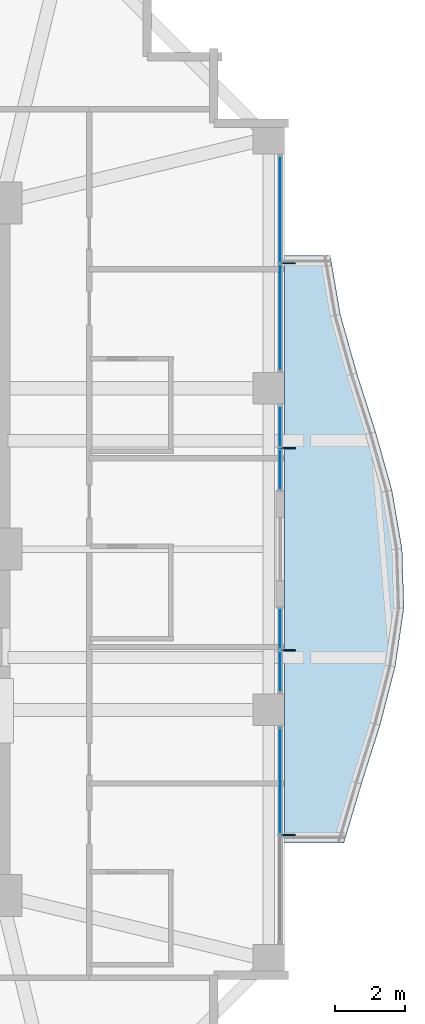
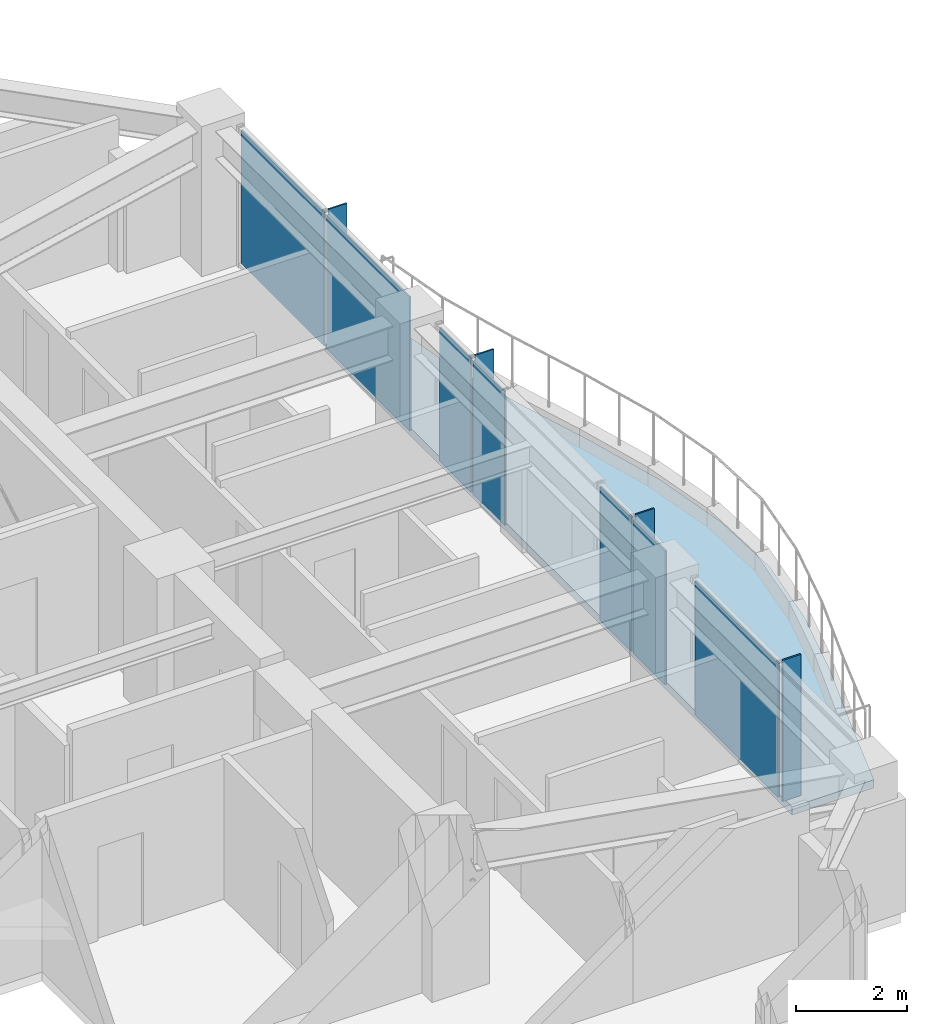
# One storey, part 26 of 33: 11 plates, 1 slab, 4 elements without a shape of their own.
"""IFC4 building model written with IfcOpenShell, lengths in metres."""

from ifc_helpers import new_model, si_unit, direction, frame, origin, origin_2d, place, context, subcontext, project, spatial, polyline, rectangle, outline, extrude, material, layer, layer_set, type_object, element, aggregate, save


model = new_model("IFC4")

# Units and contexts
model_context = context("Model", 3, precision=1e-05, world=origin(), true_north=direction((0.0, 1.0)))
body_context = subcontext(model_context, "Body", "Model", "MODEL_VIEW")
ifc_project = project(units=[si_unit("LENGTHUNIT", "METRE"), si_unit("AREAUNIT", "SQUARE_METRE"), si_unit("VOLUMEUNIT", "CUBIC_METRE"), si_unit("PLANEANGLEUNIT", "RADIAN"), si_unit("MASSUNIT", "GRAM", prefix="KILO")], contexts=[model_context])

# Site, building, storey
site_placement = place(None, origin())
site = spatial("IfcSite", under=ifc_project, at=site_placement, CompositionType="ELEMENT")
building_placement = place(site_placement, origin())
building = spatial("IfcBuilding", under=site, at=building_placement, Name="Kolvaren Belvedere", CompositionType="ELEMENT")
storey_placement = place(building_placement, frame((0.0, 0.0, 128.300048828125)))
storey = spatial("IfcBuildingStorey", under=building, at=storey_placement, Name="L37", CompositionType="ELEMENT", Elevation=128.300048828125)

# Curtain wall, plates
ifc_material_1 = material(Name="Anodised pale-metal aluminium AA 6063-T6", Category="aluminium")
curtain_wall_type = type_object("IfcCurtainWallType", Name="CW-Z3-WAIST", PredefinedType="NOTDEFINED", material=ifc_material_1)
curtain_wall_1_placement = place(storey_placement, origin())
curtain_wall_1 = element("IfcCurtainWall", 1, at=curtain_wall_1_placement, inside=storey, type_object=curtain_wall_type, Name="L37 Unitised Curtain Wall FCW-L37-E1-B1", PredefinedType="NOTDEFINED")
ifc_material_2 = material(Name="Low-iron triple insulated glass", Category="glass")
ifc_layer_1 = layer(ifc_material_2, 0.028076171875)
ifc_layer_set_1 = layer_set([ifc_layer_1], Name="Low-iron triple insulated glass")
plate_type_1 = type_object("IfcPlateType", Name="CW-PNL-VIS28", PredefinedType="CURTAIN_PANEL", material=ifc_layer_set_1)
plate_1_placement = place(storey_placement, frame((17.8798828125, 9.711181640625, 0.080078125), z_axis=(0.0, 0.0, 1.0), x_axis=(0.0, -1.0, 0.0)))
plate_1 = element("IfcPlate", 2, at=plate_1_placement, type_object=plate_type_1, Name="FCW-L37-E1-B1 Vision Glazing Panel 1", PredefinedType="CURTAIN_PANEL", context=body_context, shape_type="SweptSolid", body=[
    extrude(rectangle(XDim=2.992431640625, YDim=0.028076171875, at=origin_2d()), origin(), (0.0, 0.0, 1.0), 2.93994140625),
])
plate_2_placement = place(storey_placement, frame((17.8798828125, 6.638671875, 0.080078125), z_axis=(0.0, 0.0, 1.0), x_axis=(0.0, -1.0, 0.0)))
plate_2 = element("IfcPlate", 3, at=plate_2_placement, type_object=plate_type_1, Name="FCW-L37-E1-B1 Vision Glazing Panel 2", PredefinedType="CURTAIN_PANEL", context=body_context, shape_type="SweptSolid", body=[
    extrude(rectangle(XDim=2.992431640625, YDim=0.028076171875, at=origin_2d()), origin(), (0.0, 0.0, 1.0), 2.93994140625),
])
aggregate(curtain_wall_1, [plate_1, plate_2])

curtain_wall_2_placement = place(storey_placement, origin())
curtain_wall_2 = element("IfcCurtainWall", 4, at=curtain_wall_2_placement, inside=storey, type_object=curtain_wall_type, Name="L37 Unitised Curtain Wall FCW-L37-E1-B2", PredefinedType="NOTDEFINED")
plate_3_placement = place(storey_placement, frame((17.8798828125, 3.4931640625, 0.080078125), z_axis=(0.0, 0.0, 1.0), x_axis=(0.0, -1.0, 0.0)))
plate_3 = element("IfcPlate", 5, at=plate_3_placement, type_object=plate_type_1, Name="FCW-L37-E1-B2 Vision Glazing Panel 1", PredefinedType="CURTAIN_PANEL", context=body_context, shape_type="SweptSolid", body=[
    extrude(rectangle(XDim=1.12890625, YDim=0.028076171875, at=origin_2d()), origin(), (0.0, 0.0, 1.0), 2.93994140625),
])
plate_4_placement = place(storey_placement, frame((17.8798828125, 2.284423828125, 0.080078125), z_axis=(0.0, 0.0, 1.0), x_axis=(0.0, -1.0, 0.0)))
plate_4 = element("IfcPlate", 6, at=plate_4_placement, type_object=plate_type_1, Name="FCW-L37-E1-B2 Vision Glazing Panel 2", PredefinedType="CURTAIN_PANEL", context=body_context, shape_type="SweptSolid", body=[
    extrude(rectangle(XDim=1.12890625, YDim=0.028076171875, at=origin_2d()), origin(), (0.0, 0.0, 1.0), 2.93994140625),
])
aggregate(curtain_wall_2, [plate_3, plate_4])

curtain_wall_3_placement = place(storey_placement, origin())
curtain_wall_3 = element("IfcCurtainWall", 7, at=curtain_wall_3_placement, inside=storey, type_object=curtain_wall_type, Name="L37 Unitised Curtain Wall FCW-L37-E2-B1", PredefinedType="NOTDEFINED")
plate_5_placement = place(storey_placement, frame((17.8798828125, -2.284423828125, 0.080078125), z_axis=(0.0, 0.0, 1.0), x_axis=(0.0, -1.0, 0.0)))
plate_5 = element("IfcPlate", 8, at=plate_5_placement, type_object=plate_type_1, Name="FCW-L37-E2-B1 Vision Glazing Panel 1", PredefinedType="CURTAIN_PANEL", context=body_context, shape_type="SweptSolid", body=[
    extrude(rectangle(XDim=1.12890625, YDim=0.028076171875, at=origin_2d()), origin(), (0.0, 0.0, 1.0), 2.93994140625),
])
plate_6_placement = place(storey_placement, frame((17.8798828125, -3.4931640625, 0.080078125), z_axis=(0.0, 0.0, 1.0), x_axis=(0.0, -1.0, 0.0)))
plate_6 = element("IfcPlate", 9, at=plate_6_placement, type_object=plate_type_1, Name="FCW-L37-E2-B1 Vision Glazing Panel 2", PredefinedType="CURTAIN_PANEL", context=body_context, shape_type="SweptSolid", body=[
    extrude(rectangle(XDim=1.12890625, YDim=0.028076171875, at=origin_2d()), origin(), (0.0, 0.0, 1.0), 2.93994140625),
])
aggregate(curtain_wall_3, [plate_5, plate_6])

# Curtain wall, plate
curtain_wall_4_placement = place(storey_placement, origin())
curtain_wall_4 = element("IfcCurtainWall", 10, at=curtain_wall_4_placement, inside=storey, type_object=curtain_wall_type, Name="L37 Unitised Curtain Wall FCW-L37-E2-B2", PredefinedType="NOTDEFINED")
plate_7_placement = place(storey_placement, frame((17.8798828125, -6.638671875, 0.080078125), z_axis=(0.0, 0.0, 1.0), x_axis=(0.0, -1.0, 0.0)))
plate_7 = element("IfcPlate", 11, at=plate_7_placement, type_object=plate_type_1, Name="FCW-L37-E2-B2 Vision Glazing Panel 1", PredefinedType="CURTAIN_PANEL", context=body_context, shape_type="SweptSolid", body=[
    extrude(rectangle(XDim=2.992431640625, YDim=0.028076171875, at=origin_2d()), origin(), (0.0, 0.0, 1.0), 2.93994140625),
])
aggregate(curtain_wall_4, [plate_7])

# Plates
ifc_material_3 = material(Name="Anodised pale-metal aluminium AA 6063-T6", Category="aluminium")
ifc_layer_2 = layer(ifc_material_3, 0.033935546875)
ifc_layer_set_2 = layer_set([ifc_layer_2], Name="Anodised pale-metal aluminium AA 6063-T6")
plate_type_2 = type_object("IfcPlateType", Name="FIN-VERT-380", PredefinedType="USERDEFINED", material=ifc_layer_set_2)
for number, where, z_axis, x_axis, name in (
    (12, (18.1201171875, 8.175048828125, 0.0), (0.0, 0.0, 1.0), (1.0, 0.0, 0.0), "L37 Pale-Metal Vertical Shading Fin FCW-L37-E1-B1-1"),
    (13, (18.1201171875, 2.888671875, 0.0), (0.0, 0.0, 1.0), (1.0, 0.0, 0.0), "L37 Pale-Metal Vertical Shading Fin FCW-L37-E1-B2-1"),
    (14, (18.1201171875, -2.888671875, 0.0), (0.0, 0.0, 1.0), (1.0, 0.0, 0.0), "L37 Pale-Metal Vertical Shading Fin FCW-L37-E2-B1-1"),
    (15, (18.1201171875, -8.175048828125, 0.0), (0.0, 0.0, 1.0), (1.0, 0.0, 0.0), "L37 Pale-Metal Vertical Shading Fin FCW-L37-E2-B2-1"),
):
    element("IfcPlate", number, at=place(storey_placement, frame(where, z_axis=z_axis, x_axis=x_axis)), inside=storey, type_object=plate_type_2, Name=name, ObjectType="VERTICAL FIN", PredefinedType="USERDEFINED", context=body_context, shape_type="SweptSolid", body=[
        extrude(rectangle(XDim=0.3798828125, YDim=0.033935546875, at=origin_2d()), origin(), (0.0, 0.0, 1.0), 3.10009765625),
    ])

# Slab
ifc_material_4 = material(Name="Concrete C50/60", Category="concrete")
ifc_layer_3 = layer(ifc_material_4, 0.179931640625)
ifc_layer_set_3 = layer_set([ifc_layer_3], Name="Concrete C50/60")
slab_type = type_object("IfcSlabType", Name="SL-BAL-180", PredefinedType="FLOOR", material=ifc_layer_set_3)
slab_placement = place(storey_placement, frame((0.0, 0.0, -0.199951171875)))
element("IfcSlab", 16, at=slab_placement, inside=storey, type_object=slab_type, Name="L37 Planted Balcony BAL-E", PredefinedType="FLOOR", context=body_context, shape_type="SweptSolid", body=[
    extrude(outline(polyline([(19.705078125, -8.39990234375), (20.20458984375, -6.719970703125), (20.737548828125, -5.0400390625), (21.172119140625, -3.360107421875), (21.419921875, -1.679931640625), (21.3671875, 0.0), (21.079345703125, 1.679931640625), (20.608642578125, 3.360107421875), (20.0712890625, 5.0400390625), (19.6005859375, 6.719970703125), (19.31298828125, 8.39990234375), (18.0, 8.39990234375), (18.0, 6.719970703125), (18.0, 5.0400390625), (18.0, 3.360107421875), (18.0, 1.679931640625), (18.0, 0.0), (18.0, -1.679931640625), (18.0, -3.360107421875), (18.0, -5.0400390625), (18.0, -6.719970703125), (18.0, -8.39990234375), (19.705078125, -8.39990234375)])), origin(), (0.0, 0.0, 1.0), 0.179931640625),
])

save(model, "model.ifc")
